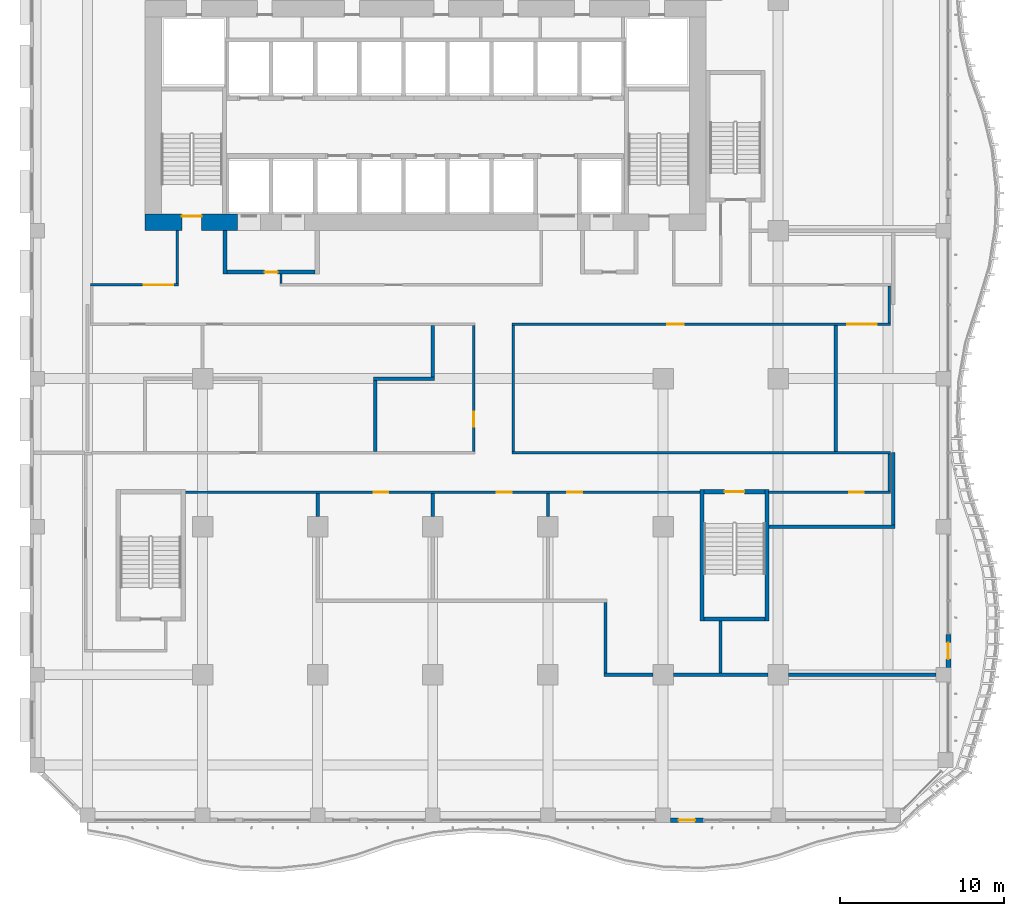
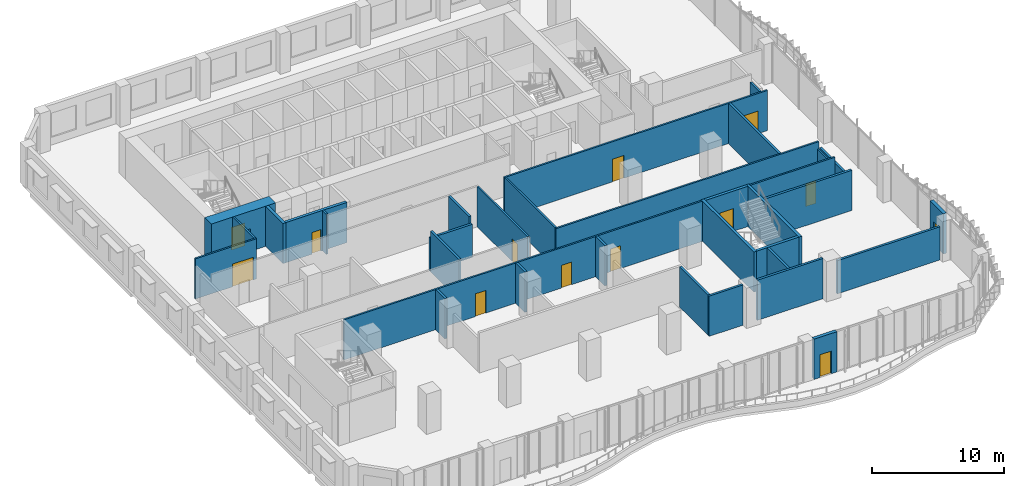
# One storey, part 12 of 27: 34 walls, 13 doors, 13 openings.
"""IFC4 building model written with IfcOpenShell, lengths in metres."""

from ifc_helpers import new_model, si_unit, direction, frame, frame_2d, origin, place, context, subcontext, project, spatial, rectangle, extrude, source, transform, mapped, material, layer, layer_set, type_object, element, fill, save


model = new_model("IFC4")

# Units and contexts
model_context = context("Model", 3, precision=1e-05, world=origin(), true_north=direction((0.0, 1.0)))
body_context = subcontext(model_context, "Body", "Model", "MODEL_VIEW")
ifc_project = project(units=[si_unit("LENGTHUNIT", "METRE"), si_unit("AREAUNIT", "SQUARE_METRE"), si_unit("VOLUMEUNIT", "CUBIC_METRE"), si_unit("PLANEANGLEUNIT", "RADIAN"), si_unit("MASSUNIT", "GRAM", prefix="KILO")], contexts=[model_context])

# Site, building, storey
site_placement = place(None, origin())
site = spatial("IfcSite", under=ifc_project, at=site_placement, CompositionType="ELEMENT")
building_placement = place(site_placement, origin())
building = spatial("IfcBuilding", under=site, at=building_placement, Name="Kilnfold Tower and Market Hall", CompositionType="ELEMENT")
storey_placement = place(building_placement, frame((0.0, 0.0, 71.199951171875)))
storey = spatial("IfcBuildingStorey", under=building, at=storey_placement, Name="L16", CompositionType="ELEMENT", Elevation=71.199951171875)

# Wall, openings, doors
ifc_material_1 = material(Name="Gypsum board on steel studs", Category="steel")
ifc_layer_1 = layer(ifc_material_1, 0.14990234375)
ifc_layer_set_1 = layer_set([ifc_layer_1], Name="Gypsum board on steel studs")
wall_type_1 = type_object("IfcWallType", Name="WALL CORRIDOR 150", PredefinedType="PARTITIONING", material=ifc_layer_set_1)
wall_1_placement = place(storey_placement, frame((-13.60009765625, -7.89990234375, 0.0), z_axis=(0.0, 0.0, 1.0), x_axis=(1.0, 0.0, 0.0)))
wall_1 = element("IfcWall", 1, at=wall_1_placement, inside=storey, type_object=wall_type_1, Name="Partition LY12.2", PredefinedType="PARTITIONING", context=body_context, shape_type="SweptSolid", body=[
    extrude(rectangle(XDim=31.400146484375, YDim=0.14990234375, at=frame_2d((15.7001953125, 0.0))), origin(), (0.0, 0.0, 1.0), 3.719970703125),
])
opening_1_placement = place(wall_1_placement, frame((11.5009765625, 0.0, 0.0)))
opening_1 = element("IfcOpeningElement", 2, at=opening_1_placement, cuts=wall_1, Name="Opening D3", PredefinedType="OPENING", context=body_context, shape_type="SweptSolid", body=[
    extrude(rectangle(XDim=0.89990234375, YDim=2.10009765625, at=frame_2d((0.449951171875, 1.050048828125))), frame((0.0, 0.0849609375, 0.0), z_axis=(0.0, -1.0, 0.0), x_axis=(1.0, 0.0, 0.0)), (0.0, 0.0, 1.0), 0.169921875),
])
opening_2_placement = place(wall_1_placement, frame((19.0029296875, 0.0, 0.0)))
opening_2 = element("IfcOpeningElement", 3, at=opening_2_placement, cuts=wall_1, Name="Opening D2", PredefinedType="OPENING", context=body_context, shape_type="SweptSolid", body=[
    extrude(rectangle(XDim=0.89990234375, YDim=2.10009765625, at=frame_2d((0.449951171875, 1.050048828125))), frame((0.0, 0.0849609375, 0.0), z_axis=(0.0, -1.0, 0.0), x_axis=(1.0, 0.0, 0.0)), (0.0, 0.0, 1.0), 0.169921875),
])
opening_3_placement = place(wall_1_placement, frame((23.291015625, 0.0, 0.0)))
opening_3 = element("IfcOpeningElement", 4, at=opening_3_placement, cuts=wall_1, Name="Opening D2", PredefinedType="OPENING", context=body_context, shape_type="SweptSolid", body=[
    extrude(rectangle(XDim=0.89990234375, YDim=2.10009765625, at=frame_2d((0.449951171875, 1.050048828125))), frame((0.0, 0.0849609375, 0.0), z_axis=(0.0, -1.0, 0.0), x_axis=(1.0, 0.0, 0.0)), (0.0, 0.0, 1.0), 0.169921875),
])
ifc_material_2 = material(Name="Timber veneer door leaf in steel frame", Category="steel")
door_type_1 = type_object("IfcDoorType", Name="DOOR ROOM 900 X2100", OperationType="NOTDEFINED", PredefinedType="DOOR", material=ifc_material_2)
door_1_placement = place(opening_2_placement, origin())
door_1 = element("IfcDoor", 5, at=door_1_placement, inside=storey, type_object=door_type_1, Name="Door D2", OperationType="SINGLE_SWING_RIGHT", OverallHeight=2.10009765625, OverallWidth=0.89990234375, PredefinedType="DOOR", context=body_context, shape_type="SweptSolid", body=[
    extrude(rectangle(XDim=0.89990234375, YDim=2.10009765625, at=frame_2d((0.449951171875, 1.050048828125))), frame((0.0, 0.02490234375, 0.0), z_axis=(0.0, -1.0, 0.0), x_axis=(1.0, 0.0, 0.0)), (0.0, 0.0, 1.0), 0.050048828125),
])
fill(opening_2, door_1)
door_2_placement = place(opening_3_placement, origin())
door_2 = element("IfcDoor", 6, at=door_2_placement, inside=storey, type_object=door_type_1, Name="Door D2", OperationType="SINGLE_SWING_LEFT", OverallHeight=2.10009765625, OverallWidth=0.89990234375, PredefinedType="DOOR", context=body_context, shape_type="SweptSolid", body=[
    extrude(rectangle(XDim=0.89990234375, YDim=2.10009765625, at=frame_2d((0.449951171875, 1.050048828125))), frame((0.0, 0.02490234375, 0.0), z_axis=(0.0, -1.0, 0.0), x_axis=(1.0, 0.0, 0.0)), (0.0, 0.0, 1.0), 0.050048828125),
])
fill(opening_3, door_2)
ifc_material_3 = material(Name="Timber veneer door leaf in steel frame", Category="steel")
door_type_2 = type_object("IfcDoorType", Name="DOOR WC 900 X2100", OperationType="NOTDEFINED", PredefinedType="DOOR", material=ifc_material_3)
door_3_placement = place(opening_1_placement, origin())
door_3 = element("IfcDoor", 7, at=door_3_placement, inside=storey, type_object=door_type_2, Name="Door D3", OperationType="SINGLE_SWING_LEFT", OverallHeight=2.10009765625, OverallWidth=0.89990234375, PredefinedType="DOOR", context=body_context, shape_type="SweptSolid", body=[
    extrude(rectangle(XDim=0.89990234375, YDim=2.10009765625, at=frame_2d((0.449951171875, 1.050048828125))), frame((0.0, 0.02490234375, 0.0), z_axis=(0.0, -1.0, 0.0), x_axis=(1.0, 0.0, 0.0)), (0.0, 0.0, 1.0), 0.050048828125),
])
fill(opening_1, door_3)

# Wall, opening, door
wall_2_placement = place(storey_placement, frame((-19.324951171875, 4.699951171875, 0.0), z_axis=(0.0, 0.0, 1.0), x_axis=(1.0, 0.0, 0.0)))
wall_2 = element("IfcWall", 8, at=wall_2_placement, inside=storey, type_object=wall_type_1, Name="Partition LY12.12", PredefinedType="PARTITIONING", context=body_context, shape_type="SweptSolid", body=[
    extrude(rectangle(XDim=5.349853515625, YDim=0.14990234375, at=frame_2d((2.6748046875, 0.0))), origin(), (0.0, 0.0, 1.0), 3.719970703125),
])
opening_4_placement = place(wall_2_placement, frame((3.248046875, 0.0, 0.0)))
opening_4 = element("IfcOpeningElement", 9, at=opening_4_placement, cuts=wall_2, Name="Opening D5", PredefinedType="OPENING", context=body_context, shape_type="SweptSolid", body=[
    extrude(rectangle(XDim=1.800048828125, YDim=2.10009765625, at=frame_2d((0.89990234375, 1.050048828125))), frame((0.0, 0.0849609375, 0.0), z_axis=(0.0, -1.0, 0.0), x_axis=(1.0, 0.0, 0.0)), (0.0, 0.0, 1.0), 0.169921875),
])
ifc_material_4 = material(Name="Timber veneer door leaf in steel frame", Category="steel")
door_type_3 = type_object("IfcDoorType", Name="DOOR DOUBLE 1800 X2100", OperationType="NOTDEFINED", PredefinedType="DOOR", material=ifc_material_4)
door_4_placement = place(opening_4_placement, origin())
door_4 = element("IfcDoor", 10, at=door_4_placement, inside=storey, type_object=door_type_3, Name="Door D5", OperationType="DOUBLE_DOOR_SINGLE_SWING", OverallHeight=2.10009765625, OverallWidth=1.800048828125, PredefinedType="DOOR", context=body_context, shape_type="SweptSolid", body=[
    extrude(rectangle(XDim=1.800048828125, YDim=2.10009765625, at=frame_2d((0.89990234375, 1.050048828125))), frame((0.0, 0.02490234375, 0.0), z_axis=(0.0, -1.0, 0.0), x_axis=(1.0, 0.0, 0.0)), (0.0, 0.0, 1.0), 0.050048828125),
])
fill(opening_4, door_4)

# Walls
wall_3_placement = place(storey_placement, frame((-14.050048828125, 8.0, 0.0), z_axis=(0.0, 0.0, 1.0), x_axis=(0.0, -1.0, 0.0)))
element("IfcWall", 11, at=wall_3_placement, inside=storey, type_object=wall_type_1, Name="Partition LY12.13", PredefinedType="PARTITIONING", context=body_context, shape_type="SweptSolid", body=[
    extrude(rectangle(XDim=3.22509765625, YDim=0.14990234375, at=frame_2d((1.612548828125, 0.0))), origin(), (0.0, 0.0, 1.0), 3.719970703125),
])
wall_4_placement = place(storey_placement, frame((-7.72998046875, 4.77490234375, 0.0), z_axis=(0.0, 0.0, 1.0), x_axis=(0.0, 1.0, 0.0)))
element("IfcWall", 12, at=wall_4_placement, inside=storey, type_object=wall_type_1, Name="Partition LY12.14", PredefinedType="PARTITIONING", context=body_context, shape_type="SweptSolid", body=[
    extrude(rectangle(XDim=0.5751953125, YDim=0.14990234375, at=frame_2d((0.28759765625, 0.0))), origin(), (0.0, 0.0, 1.0), 3.719970703125),
])

# Wall, opening, door
wall_5_placement = place(storey_placement, frame((4.0, 2.22509765625, 0.0), z_axis=(0.0, 0.0, 1.0), x_axis=(0.0, -1.0, 0.0)))
wall_5 = element("IfcWall", 13, at=wall_5_placement, inside=storey, type_object=wall_type_1, Name="Partition LY12.17", PredefinedType="PARTITIONING", context=body_context, shape_type="SweptSolid", body=[
    extrude(rectangle(XDim=7.650146484375, YDim=0.14990234375, at=frame_2d((3.8251953125, 0.0))), origin(), (0.0, 0.0, 1.0), 3.719970703125),
])
opening_5_placement = place(wall_5_placement, frame((5.239990234375, 0.0, 0.0)))
opening_5 = element("IfcOpeningElement", 14, at=opening_5_placement, cuts=wall_5, Name="Opening D2", PredefinedType="OPENING", context=body_context, shape_type="SweptSolid", body=[
    extrude(rectangle(XDim=0.89990234375, YDim=2.10009765625, at=frame_2d((0.449951171875, 1.050048828125))), frame((0.0, 0.0849609375, 0.0), z_axis=(0.0, -1.0, 0.0), x_axis=(1.0, 0.0, 0.0)), (0.0, 0.0, 1.0), 0.169921875),
])
door_5_placement = place(opening_5_placement, origin())
door_5 = element("IfcDoor", 15, at=door_5_placement, inside=storey, type_object=door_type_1, Name="Door D2", OperationType="SINGLE_SWING_LEFT", OverallHeight=2.10009765625, OverallWidth=0.89990234375, PredefinedType="DOOR", context=body_context, shape_type="SweptSolid", body=[
    extrude(rectangle(XDim=0.89990234375, YDim=2.10009765625, at=frame_2d((0.449951171875, 1.050048828125))), frame((0.0, 0.02490234375, 0.0), z_axis=(0.0, -1.0, 0.0), x_axis=(1.0, 0.0, 0.0)), (0.0, 0.0, 1.0), 0.050048828125),
])
fill(opening_5, door_5)

# Wall, openings, doors
wall_6_placement = place(storey_placement, frame((6.324951171875, 2.300048828125, 0.0), z_axis=(0.0, 0.0, 1.0), x_axis=(1.0, 0.0, 0.0)))
wall_6 = element("IfcWall", 16, at=wall_6_placement, inside=storey, type_object=wall_type_1, Name="Partition LY12.18", PredefinedType="PARTITIONING", context=body_context, shape_type="SweptSolid", body=[
    extrude(rectangle(XDim=23.0, YDim=0.14990234375, at=frame_2d((11.5, 0.0))), origin(), (0.0, 0.0, 1.0), 3.719970703125),
])
opening_6_placement = place(wall_6_placement, frame((9.443115234375, 0.0, 0.0)))
opening_6 = element("IfcOpeningElement", 17, at=opening_6_placement, cuts=wall_6, Name="Opening D1", PredefinedType="OPENING", context=body_context, shape_type="SweptSolid", body=[
    extrude(rectangle(XDim=1.0, YDim=2.10009765625, at=frame_2d((0.5, 1.050048828125))), frame((0.0, 0.0849609375, 0.0), z_axis=(0.0, -1.0, 0.0), x_axis=(1.0, 0.0, 0.0)), (0.0, 0.0, 1.0), 0.169921875),
])
opening_7_placement = place(wall_6_placement, frame((20.381103515625, 0.0, 0.0)))
opening_7 = element("IfcOpeningElement", 18, at=opening_7_placement, cuts=wall_6, Name="Opening D5", PredefinedType="OPENING", context=body_context, shape_type="SweptSolid", body=[
    extrude(rectangle(XDim=1.800048828125, YDim=2.10009765625, at=frame_2d((0.89990234375, 1.050048828125))), frame((0.0, 0.0849609375, 0.0), z_axis=(0.0, -1.0, 0.0), x_axis=(1.0, 0.0, 0.0)), (0.0, 0.0, 1.0), 0.169921875),
])
door_6_placement = place(opening_7_placement, origin())
door_6 = element("IfcDoor", 19, at=door_6_placement, inside=storey, type_object=door_type_3, Name="Door D5", OperationType="DOUBLE_DOOR_SINGLE_SWING", OverallHeight=2.10009765625, OverallWidth=1.800048828125, PredefinedType="DOOR", context=body_context, shape_type="SweptSolid", body=[
    extrude(rectangle(XDim=1.800048828125, YDim=2.10009765625, at=frame_2d((0.89990234375, 1.050048828125))), frame((0.0, 0.02490234375, 0.0), z_axis=(0.0, -1.0, 0.0), x_axis=(1.0, 0.0, 0.0)), (0.0, 0.0, 1.0), 0.050048828125),
])
fill(opening_7, door_6)
ifc_material_5 = material(Name="Timber veneer door leaf in steel frame", Category="steel")
door_type_4 = type_object("IfcDoorType", Name="DOOR ENTRY 1000 X2100", OperationType="NOTDEFINED", PredefinedType="DOOR", material=ifc_material_5)
door_7_placement = place(opening_6_placement, origin())
door_7 = element("IfcDoor", 20, at=door_7_placement, inside=storey, type_object=door_type_4, Name="Door D1", OperationType="SINGLE_SWING_LEFT", OverallHeight=2.10009765625, OverallWidth=1.0, PredefinedType="DOOR", context=body_context, shape_type="SweptSolid", body=[
    extrude(rectangle(XDim=1.0, YDim=2.10009765625, at=frame_2d((0.5, 1.050048828125))), frame((0.0, 0.02490234375, 0.0), z_axis=(0.0, -1.0, 0.0), x_axis=(1.0, 0.0, 0.0)), (0.0, 0.0, 1.0), 0.050048828125),
])
fill(opening_6, door_7)

# Walls
wall_7_placement = place(storey_placement, frame((6.39990234375, -5.425048828125, 0.0), z_axis=(0.0, 0.0, 1.0), x_axis=(0.0, 1.0, 0.0)))
element("IfcWall", 21, at=wall_7_placement, inside=storey, type_object=wall_type_1, Name="Partition LY12.19", PredefinedType="PARTITIONING", context=body_context, shape_type="SweptSolid", body=[
    extrude(rectangle(XDim=7.650146484375, YDim=0.14990234375, at=frame_2d((3.8251953125, 0.0))), origin(), (0.0, 0.0, 1.0), 3.719970703125),
])
wall_8_placement = place(storey_placement, frame((6.324951171875, -5.5, 0.0), z_axis=(0.0, 0.0, 1.0), x_axis=(1.0, 0.0, 0.0)))
element("IfcWall", 22, at=wall_8_placement, inside=storey, type_object=wall_type_1, Name="Partition LY12.20", PredefinedType="PARTITIONING", context=body_context, shape_type="SweptSolid", body=[
    extrude(rectangle(XDim=23.0, YDim=0.14990234375, at=frame_2d((11.5, 0.0))), origin(), (0.0, 0.0, 1.0), 3.719970703125),
])
wall_9_placement = place(storey_placement, frame((29.25, -7.824951171875, 0.0), z_axis=(0.0, 0.0, 1.0), x_axis=(0.0, 1.0, 0.0)))
element("IfcWall", 23, at=wall_9_placement, inside=storey, type_object=wall_type_1, Name="Partition LY12.27", PredefinedType="PARTITIONING", context=body_context, shape_type="SweptSolid", body=[
    extrude(rectangle(XDim=2.25, YDim=0.14990234375, at=frame_2d((1.125, 0.0))), origin(), (0.0, 0.0, 1.0), 3.070068359375),
])

# Wall, opening, door
wall_10_placement = place(storey_placement, frame((21.89990234375, -7.89990234375, 0.0), z_axis=(0.0, 0.0, 1.0), x_axis=(1.0, 0.0, 0.0)))
wall_10 = element("IfcWall", 24, at=wall_10_placement, inside=storey, type_object=wall_type_1, Name="Partition LY12.28", PredefinedType="PARTITIONING", context=body_context, shape_type="SweptSolid", body=[
    extrude(rectangle(XDim=7.425048828125, YDim=0.14990234375, at=frame_2d((3.71240234375, 0.0))), origin(), (0.0, 0.0, 1.0), 3.719970703125),
])
opening_8_placement = place(wall_10_placement, frame((4.9189453125, 0.0, 0.0)))
opening_8 = element("IfcOpeningElement", 25, at=opening_8_placement, cuts=wall_10, Name="Opening D2", PredefinedType="OPENING", context=body_context, shape_type="SweptSolid", body=[
    extrude(rectangle(XDim=0.89990234375, YDim=2.10009765625, at=frame_2d((0.449951171875, 1.050048828125))), frame((0.0, 0.0849609375, 0.0), z_axis=(0.0, -1.0, 0.0), x_axis=(1.0, 0.0, 0.0)), (0.0, 0.0, 1.0), 0.169921875),
])
door_8_placement = place(opening_8_placement, origin())
door_8 = element("IfcDoor", 26, at=door_8_placement, inside=storey, type_object=door_type_1, Name="Door D2", OperationType="SINGLE_SWING_RIGHT", OverallHeight=2.10009765625, OverallWidth=0.89990234375, PredefinedType="DOOR", context=body_context, shape_type="SweptSolid", body=[
    extrude(rectangle(XDim=0.89990234375, YDim=2.10009765625, at=frame_2d((0.449951171875, 1.050048828125))), frame((0.0, 0.02490234375, 0.0), z_axis=(0.0, -1.0, 0.0), x_axis=(1.0, 0.0, 0.0)), (0.0, 0.0, 1.0), 0.050048828125),
])
fill(opening_8, door_8)

# Walls
wall_11_placement = place(storey_placement, frame((29.25, 2.375, 0.0), z_axis=(0.0, 0.0, 1.0), x_axis=(0.0, 1.0, 0.0)))
element("IfcWall", 27, at=wall_11_placement, inside=storey, type_object=wall_type_1, Name="Partition LY12.29", PredefinedType="PARTITIONING", context=body_context, shape_type="SweptSolid", body=[
    extrude(rectangle(XDim=2.25, YDim=0.14990234375, at=frame_2d((1.125, 0.0))), origin(), (0.0, 0.0, 1.0), 3.070068359375),
])
ifc_material_6 = material(Name="Gypsum board on steel studs", Category="steel")
ifc_layer_2 = layer(ifc_material_6, 0.199951171875)
ifc_layer_set_2 = layer_set([ifc_layer_2], Name="Gypsum board on steel studs")
wall_type_2 = type_object("IfcWallType", Name="WALL PARTY 200", PredefinedType="PARTITIONING", material=ifc_layer_set_2)
wall_12_placement = place(storey_placement, frame((-5.5, -9.375, 0.0), z_axis=(0.0, 0.0, 1.0), x_axis=(0.0, 1.0, 0.0)))
element("IfcWall", 28, at=wall_12_placement, inside=storey, type_object=wall_type_2, Name="Partition LY12.31", PredefinedType="PARTITIONING", context=body_context, shape_type="SweptSolid", body=[
    extrude(rectangle(XDim=1.39892578125, YDim=0.199951171875, at=frame_2d((0.699462890625, 0.0))), origin(), (0.0, 0.0, 1.0), 3.719970703125),
])
wall_13_placement = place(storey_placement, frame((12.0, -18.89990234375, 0.0), z_axis=(0.0, 0.0, 1.0), x_axis=(0.0, 1.0, 0.0)))
element("IfcWall", 29, at=wall_13_placement, inside=storey, type_object=wall_type_2, Name="Partition LY12.34", PredefinedType="PARTITIONING", context=body_context, shape_type="SweptSolid", body=[
    extrude(rectangle(XDim=4.2998046875, YDim=0.199951171875, at=frame_2d((2.14990234375, 0.0))), origin(), (0.0, 0.0, 1.0), 3.719970703125),
])
wall_14_placement = place(storey_placement, frame((11.89990234375, -19.0, 0.0), z_axis=(0.0, 0.0, 1.0), x_axis=(1.0, 0.0, 0.0)))
element("IfcWall", 30, at=wall_14_placement, inside=storey, type_object=wall_type_2, Name="Partition LY12.35", PredefinedType="PARTITIONING", context=body_context, shape_type="SweptSolid", body=[
    extrude(rectangle(XDim=2.97509765625, YDim=0.199951171875, at=frame_2d((1.487548828125, 0.0))), origin(), (0.0, 0.0, 1.0), 3.719970703125),
])
wall_15_placement = place(storey_placement, frame((16.125, -19.0, 0.0), z_axis=(0.0, 0.0, 1.0), x_axis=(1.0, 0.0, 0.0)))
element("IfcWall", 31, at=wall_15_placement, inside=storey, type_object=wall_type_2, Name="Partition LY12.36", PredefinedType="PARTITIONING", context=body_context, shape_type="SweptSolid", body=[
    extrude(rectangle(XDim=5.75, YDim=0.199951171875, at=frame_2d((2.875, 0.0))), origin(), (0.0, 0.0, 1.0), 3.719970703125),
])
wall_16_placement = place(storey_placement, frame((23.125, -19.0, 0.0), z_axis=(0.0, 0.0, 1.0), x_axis=(1.0, 0.0, 0.0)))
element("IfcWall", 32, at=wall_16_placement, inside=storey, type_object=wall_type_2, Name="Partition LY12.37", PredefinedType="PARTITIONING", context=body_context, shape_type="SweptSolid", body=[
    extrude(rectangle(XDim=8.97509765625, YDim=0.199951171875, at=frame_2d((4.487548828125, 0.0))), origin(), (0.0, 0.0, 1.0), 3.070068359375),
])
wall_17_placement = place(storey_placement, frame((1.5, -0.89990234375, 0.0), z_axis=(0.0, 0.0, 1.0), x_axis=(0.0, 1.0, 0.0)))
element("IfcWall", 33, at=wall_17_placement, inside=storey, type_object=wall_type_2, Name="Partition LY12.46", PredefinedType="PARTITIONING", context=body_context, shape_type="SweptSolid", body=[
    extrude(rectangle(XDim=3.1240234375, YDim=0.199951171875, at=frame_2d((1.56201171875, 0.0))), origin(), (0.0, 0.0, 1.0), 3.719970703125),
])
wall_18_placement = place(storey_placement, frame((-2.10009765625, -1.0, 0.0), z_axis=(0.0, 0.0, 1.0), x_axis=(1.0, 0.0, 0.0)))
element("IfcWall", 34, at=wall_18_placement, inside=storey, type_object=wall_type_2, Name="Partition LY12.47", PredefinedType="PARTITIONING", context=body_context, shape_type="SweptSolid", body=[
    extrude(rectangle(XDim=3.7001953125, YDim=0.199951171875, at=frame_2d((1.85009765625, 0.0))), origin(), (0.0, 0.0, 1.0), 3.070068359375),
])
wall_19_placement = place(storey_placement, frame((-2.0, -5.424072265625, 0.0), z_axis=(0.0, 0.0, 1.0), x_axis=(0.0, 1.0, 0.0)))
element("IfcWall", 35, at=wall_19_placement, inside=storey, type_object=wall_type_2, Name="Partition LY12.48", PredefinedType="PARTITIONING", context=body_context, shape_type="SweptSolid", body=[
    extrude(rectangle(XDim=4.323974609375, YDim=0.199951171875, at=frame_2d((2.162109375, 0.0))), origin(), (0.0, 0.0, 1.0), 3.719970703125),
])
for number, where, z_axis, x_axis, name in (
    (36, (1.5, -9.375, 0.0), (0.0, 0.0, 1.0), (0.0, 1.0, 0.0), "Partition LY12.49"),
    (37, (8.5, -9.375, 0.0), (0.0, 0.0, 1.0), (0.0, 1.0, 0.0), "Partition LY12.51"),
):
    element("IfcWall", number, at=place(storey_placement, frame(where, z_axis=z_axis, x_axis=x_axis)), inside=storey, type_object=wall_type_2, Name=name, PredefinedType="PARTITIONING", context=body_context, shape_type="SweptSolid", body=[
        extrude(rectangle(XDim=1.39892578125, YDim=0.199951171875, at=frame_2d((0.699462890625, 0.0))), origin(), (0.0, 0.0, 1.0), 3.719970703125),
    ])
wall_20_placement = place(storey_placement, frame((26.0, -5.424072265625, 0.0), z_axis=(0.0, 0.0, 1.0), x_axis=(0.0, 1.0, 0.0)))
element("IfcWall", 38, at=wall_20_placement, inside=storey, type_object=wall_type_2, Name="Partition LY12.53", PredefinedType="PARTITIONING", context=body_context, shape_type="SweptSolid", body=[
    extrude(rectangle(XDim=7.648193359375, YDim=0.199951171875, at=frame_2d((3.82421875, 0.0))), origin(), (0.0, 0.0, 1.0), 3.719970703125),
])
wall_21_placement = place(storey_placement, frame((19.0, -18.89990234375, 0.0), z_axis=(0.0, 0.0, 1.0), x_axis=(0.0, 1.0, 0.0)))
element("IfcWall", 39, at=wall_21_placement, inside=storey, type_object=wall_type_2, Name="Partition LY12.54", PredefinedType="PARTITIONING", context=body_context, shape_type="SweptSolid", body=[
    extrude(rectangle(XDim=3.14990234375, YDim=0.199951171875, at=frame_2d((1.574951171875, 0.0))), origin(), (0.0, 0.0, 1.0), 3.719970703125),
])
wall_22_placement = place(storey_placement, frame((29.5, -9.89990234375, 0.0), z_axis=(0.0, 0.0, 1.0), x_axis=(0.0, 1.0, 0.0)))
element("IfcWall", 40, at=wall_22_placement, inside=storey, type_object=wall_type_2, Name="Partition LY12.58", PredefinedType="PARTITIONING", context=body_context, shape_type="SweptSolid", body=[
    extrude(rectangle(XDim=4.39990234375, YDim=0.199951171875, at=frame_2d((2.199951171875, 0.0))), origin(), (0.0, 0.0, 1.0), 3.070068359375),
])
wall_23_placement = place(storey_placement, frame((21.949951171875, -10.0, 0.0), z_axis=(0.0, 0.0, 1.0), x_axis=(1.0, 0.0, 0.0)))
element("IfcWall", 41, at=wall_23_placement, inside=storey, type_object=wall_type_2, Name="Partition LY12.59", PredefinedType="PARTITIONING", context=body_context, shape_type="SweptSolid", body=[
    extrude(rectangle(XDim=7.650146484375, YDim=0.199951171875, at=frame_2d((3.8251953125, 0.0))), origin(), (0.0, 0.0, 1.0), 3.719970703125),
])

# Wall, opening, door
ifc_material_7 = material(Name="Concrete C80", Category="concrete")
ifc_layer_3 = layer(ifc_material_7, 1.0)
ifc_layer_set_3 = layer_set([ifc_layer_3], Name="Concrete C80")
wall_type_3 = type_object("IfcWallType", Name="CORE WALL 1000 C80", PredefinedType="SHEAR", material=ifc_layer_set_3)
shared_shape_1 = source(origin(), body_context, "Body", "SweptSolid", [
    extrude(rectangle(XDim=5.6298828125, YDim=1.0, at=frame_2d((2.81494140625, 0.0))), origin(), (0.0, 0.0, 1.0), 3.719970703125),
])
wall_24_placement = place(storey_placement, frame((-16.0, 8.5, 0.0), z_axis=(0.0, 0.0, 1.0), x_axis=(1.0, 0.0, 0.0)))
wall_24 = element("IfcWall", 42, at=wall_24_placement, inside=storey, type_object=wall_type_3, Name="Core outer wall south", PredefinedType="SHEAR", context=body_context, shape_type="MappedRepresentation", body=[
    mapped(shared_shape_1, transform((0.0, 0.0, 0.0))),
])
opening_9_placement = place(wall_24_placement, frame((2.25, 0.0, 0.0)))
opening_9 = element("IfcOpeningElement", 43, at=opening_9_placement, cuts=wall_24, Name="Opening SD1", PredefinedType="OPENING", context=body_context, shape_type="SweptSolid", body=[
    extrude(rectangle(XDim=1.199951171875, YDim=2.10009765625, at=frame_2d((0.60009765625, 1.050048828125))), frame((0.0, 0.510009765625, 0.0), z_axis=(0.0, -1.0, 0.0), x_axis=(1.0, 0.0, 0.0)), (0.0, 0.0, 1.0), 1.02001953125),
])
ifc_material_8 = material(Name="Steel door set with fire-resisting leaf", Category="steel")
door_type_5 = type_object("IfcDoorType", Name="STAIR FLOOR DOOR 1200X2100", OperationType="NOTDEFINED", PredefinedType="DOOR", material=ifc_material_8)
door_9_placement = place(opening_9_placement, origin())
door_9 = element("IfcDoor", 44, at=door_9_placement, inside=storey, type_object=door_type_5, Name="Exit stair ST1 door", OperationType="DOUBLE_DOOR_SINGLE_SWING", OverallHeight=2.10009765625, OverallWidth=1.199951171875, PredefinedType="DOOR", context=body_context, shape_type="SweptSolid", body=[
    extrude(rectangle(XDim=1.199951171875, YDim=2.10009765625, at=frame_2d((0.60009765625, 1.050048828125))), frame((0.0, 0.40478515625, 0.0), z_axis=(0.0, -1.0, 0.0), x_axis=(1.0, 0.0, 0.0)), (0.0, 0.0, 1.0), 0.050048828125),
])
fill(opening_9, door_9)

# Wall
ifc_material_9 = material(Name="Concrete C80", Category="concrete")
ifc_layer_4 = layer(ifc_material_9, 0.25)
ifc_layer_set_4 = layer_set([ifc_layer_4], Name="Concrete C80")
wall_type_4 = type_object("IfcWallType", Name="CORE WALL 250 C80", PredefinedType="SHEAR", material=ifc_layer_set_4)
shared_shape_2 = source(origin(), body_context, "Body", "SweptSolid", [
    extrude(rectangle(XDim=3.699951171875, YDim=0.25, at=frame_2d((1.85009765625, 0.0))), origin(), (0.0, 0.0, 1.0), 3.719970703125),
])
wall_25_placement = place(storey_placement, frame((18.0, -15.625, 0.0), z_axis=(0.0, 0.0, 1.0), x_axis=(1.0, 0.0, 0.0)))
element("IfcWall", 45, at=wall_25_placement, inside=storey, type_object=wall_type_4, Name="Stair enclosure ST4", PredefinedType="SHEAR", context=body_context, shape_type="MappedRepresentation", body=[
    mapped(shared_shape_2, transform((0.0, 0.0, 0.0))),
])

# Wall, opening, door
wall_26_placement = place(storey_placement, frame((18.0, -7.875, 0.0), z_axis=(0.0, 0.0, 1.0), x_axis=(1.0, 0.0, 0.0)))
wall_26 = element("IfcWall", 46, at=wall_26_placement, inside=storey, type_object=wall_type_4, Name="Stair enclosure ST4", PredefinedType="SHEAR", context=body_context, shape_type="MappedRepresentation", body=[
    mapped(shared_shape_2, transform((0.0, 0.0, 0.0))),
])
opening_10_placement = place(wall_26_placement, frame((1.25, 0.0, 0.0)))
opening_10 = element("IfcOpeningElement", 47, at=opening_10_placement, cuts=wall_26, Name="Opening SD1", PredefinedType="OPENING", context=body_context, shape_type="SweptSolid", body=[
    extrude(rectangle(XDim=1.199951171875, YDim=2.10009765625, at=frame_2d((0.60009765625, 1.050048828125))), frame((0.0, 0.135009765625, 0.0), z_axis=(0.0, -1.0, 0.0), x_axis=(1.0, 0.0, 0.0)), (0.0, 0.0, 1.0), 0.27001953125),
])
door_10_placement = place(opening_10_placement, origin())
door_10 = element("IfcDoor", 48, at=door_10_placement, inside=storey, type_object=door_type_5, Name="Exit stair ST4 door", OperationType="DOUBLE_DOOR_SINGLE_SWING", OverallHeight=2.10009765625, OverallWidth=1.199951171875, PredefinedType="DOOR", context=body_context, shape_type="SweptSolid", body=[
    extrude(rectangle(XDim=1.199951171875, YDim=2.10009765625, at=frame_2d((0.60009765625, 1.050048828125))), frame((0.0, 0.02490234375, 0.0), z_axis=(0.0, -1.0, 0.0), x_axis=(1.0, 0.0, 0.0)), (0.0, 0.0, 1.0), 0.050048828125),
])
fill(opening_10, door_10)

# Walls
shared_shape_3 = source(origin(), body_context, "Body", "SweptSolid", [
    extrude(rectangle(XDim=8.0, YDim=0.25, at=frame_2d((4.0, 0.0))), origin(), (0.0, 0.0, 1.0), 3.719970703125),
])
for number, where, z_axis, x_axis, name in (
    (49, (17.875, -15.75, 0.0), (0.0, 0.0, 1.0), (0.0, 1.0, 0.0), "Stair enclosure ST4"),
    (50, (21.824951171875, -15.75, 0.0), (0.0, 0.0, 1.0), (0.0, 1.0, 0.0), "Stair enclosure ST4"),
):
    element("IfcWall", number, at=place(storey_placement, frame(where, z_axis=z_axis, x_axis=x_axis)), inside=storey, type_object=wall_type_4, Name=name, PredefinedType="SHEAR", context=body_context, shape_type="MappedRepresentation", body=[
        mapped(shared_shape_3, transform((0.0, 0.0, 0.0))),
    ])

# Wall, opening, door
ifc_material_10 = material(Name="Precast concrete C50/60", Category="concrete")
ifc_layer_5 = layer(ifc_material_10, 0.300048828125)
ifc_layer_set_5 = layer_set([ifc_layer_5], Name="Precast concrete C50/60")
wall_type_5 = type_object("IfcWallType", Name="PRECAST WALL 300", PredefinedType="SOLIDWALL", material=ifc_layer_set_5)
shared_shape_4 = source(origin(), body_context, "Body", "SweptSolid", [
    extrude(rectangle(XDim=2.0, YDim=0.300048828125, at=frame_2d((1.0, 0.0))), origin(), (0.0, 0.0, 1.0), 3.719970703125),
])
wall_27_placement = place(storey_placement, frame((15.949951171875, -27.85009765625, 0.0), z_axis=(0.0, 0.0, 1.0), x_axis=(1.0, 0.0, 0.0)))
wall_27 = element("IfcWall", 51, at=wall_27_placement, inside=storey, type_object=wall_type_5, Name="External wall L16 S", PredefinedType="SOLIDWALL", context=body_context, shape_type="MappedRepresentation", body=[
    mapped(shared_shape_4, transform((0.0, 0.0, 0.0))),
])
opening_11_placement = place(wall_27_placement, frame((0.5, 0.0, 0.0)))
opening_11 = element("IfcOpeningElement", 52, at=opening_11_placement, cuts=wall_27, Name="Opening BD1", PredefinedType="OPENING", context=body_context, shape_type="SweptSolid", body=[
    extrude(rectangle(XDim=1.0, YDim=2.10009765625, at=frame_2d((0.5, 1.050048828125))), frame((0.0, 0.16015625, 0.0), z_axis=(0.0, -1.0, 0.0), x_axis=(1.0, 0.0, 0.0)), (0.0, 0.0, 1.0), 0.320068359375),
])
ifc_material_11 = material(Name="Aluminium frame and double glazing", Category="aluminium")
door_type_6 = type_object("IfcDoorType", Name="BALCONY DOOR 1000X2100", OperationType="NOTDEFINED", PredefinedType="DOOR", material=ifc_material_11)
door_11_placement = place(opening_11_placement, origin())
door_11 = element("IfcDoor", 53, at=door_11_placement, inside=storey, type_object=door_type_6, Name="Balcony door BD1 L16 S-1", OperationType="SINGLE_SWING_LEFT", OverallHeight=2.10009765625, OverallWidth=1.0, PredefinedType="DOOR", context=body_context, shape_type="SweptSolid", body=[
    extrude(rectangle(XDim=1.0, YDim=2.10009765625, at=frame_2d((0.5, 1.050048828125))), frame((0.0, 0.02490234375, 0.0), z_axis=(0.0, -1.0, 0.0), x_axis=(1.0, 0.0, 0.0)), (0.0, 0.0, 1.0), 0.050048828125),
])
fill(opening_11, door_11)

wall_28_placement = place(storey_placement, frame((32.85009765625, -18.550048828125, 0.0), z_axis=(0.0, 0.0, 1.0), x_axis=(0.0, 1.0, 0.0)))
wall_28 = element("IfcWall", 54, at=wall_28_placement, inside=storey, type_object=wall_type_5, Name="External wall L16 E", PredefinedType="SOLIDWALL", context=body_context, shape_type="MappedRepresentation", body=[
    mapped(shared_shape_4, transform((0.0, 0.0, 0.0))),
])
opening_12_placement = place(wall_28_placement, frame((0.5, 0.0, 0.0)))
opening_12 = element("IfcOpeningElement", 55, at=opening_12_placement, cuts=wall_28, Name="Opening BD1", PredefinedType="OPENING", context=body_context, shape_type="SweptSolid", body=[
    extrude(rectangle(XDim=1.0, YDim=2.10009765625, at=frame_2d((0.5, 1.050048828125))), frame((0.0, 0.16015625, 0.0), z_axis=(0.0, -1.0, 0.0), x_axis=(1.0, 0.0, 0.0)), (0.0, 0.0, 1.0), 0.320068359375),
])
door_12_placement = place(opening_12_placement, origin())
door_12 = element("IfcDoor", 56, at=door_12_placement, inside=storey, type_object=door_type_6, Name="Balcony door BD1 L16 E-1", OperationType="SINGLE_SWING_LEFT", OverallHeight=2.10009765625, OverallWidth=1.0, PredefinedType="DOOR", context=body_context, shape_type="SweptSolid", body=[
    extrude(rectangle(XDim=1.0, YDim=2.10009765625, at=frame_2d((0.5, 1.050048828125))), frame((0.0, 0.02490234375, 0.0), z_axis=(0.0, -1.0, 0.0), x_axis=(1.0, 0.0, 0.0)), (0.0, 0.0, 1.0), 0.050048828125),
])
fill(opening_12, door_12)

# Wall
ifc_material_12 = material(Name="Gypsum shaft wall system")
ifc_layer_6 = layer(ifc_material_12, 0.25)
ifc_layer_set_6 = layer_set([ifc_layer_6], Name="Gypsum shaft wall system")
wall_type_6 = type_object("IfcWallType", Name="LOBBY WALL 250", PredefinedType="PARTITIONING", material=ifc_layer_set_6)
shared_shape_5 = source(origin(), body_context, "Body", "SweptSolid", [
    extrude(rectangle(XDim=2.64990234375, YDim=0.25, at=frame_2d((1.324951171875, 0.0))), origin(), (0.0, 0.0, 1.0), 3.719970703125),
])
wall_29_placement = place(storey_placement, frame((-11.135009765625, 5.35009765625, 0.0), z_axis=(0.0, 0.0, 1.0), x_axis=(0.0, 1.0, 0.0)))
element("IfcWall", 57, at=wall_29_placement, inside=storey, type_object=wall_type_6, Name="Firefighting lobby wall", PredefinedType="PARTITIONING", context=body_context, shape_type="MappedRepresentation", body=[
    mapped(shared_shape_5, transform((0.0, 0.0, 0.0))),
])

# Wall, opening, door
shared_shape_6 = source(origin(), body_context, "Body", "SweptSolid", [
    extrude(rectangle(XDim=5.360107421875, YDim=0.25, at=frame_2d((2.68017578125, 0.0))), origin(), (0.0, 0.0, 1.0), 3.719970703125),
])
wall_30_placement = place(storey_placement, frame((-11.010009765625, 5.47509765625, 0.0), z_axis=(0.0, 0.0, 1.0), x_axis=(1.0, 0.0, 0.0)))
wall_30 = element("IfcWall", 58, at=wall_30_placement, inside=storey, type_object=wall_type_6, Name="Firefighting lobby wall", PredefinedType="PARTITIONING", context=body_context, shape_type="MappedRepresentation", body=[
    mapped(shared_shape_6, transform((0.0, 0.0, 0.0))),
])
opening_13_placement = place(wall_30_placement, frame((2.280029296875, 0.0, 0.0)))
opening_13 = element("IfcOpeningElement", 59, at=opening_13_placement, cuts=wall_30, Name="Opening VD1", PredefinedType="OPENING", context=body_context, shape_type="SweptSolid", body=[
    extrude(rectangle(XDim=0.800048828125, YDim=2.0, at=frame_2d((0.39990234375, 1.0))), frame((0.0, 0.135009765625, 0.0), z_axis=(0.0, -1.0, 0.0), x_axis=(1.0, 0.0, 0.0)), (0.0, 0.0, 1.0), 0.27001953125),
])
ifc_material_13 = material(Name="Steel door set with fire-resisting leaf", Category="steel")
door_type_7 = type_object("IfcDoorType", Name="FIREFIGHTING LOBBY DOOR 800X2000", OperationType="NOTDEFINED", PredefinedType="DOOR", material=ifc_material_13)
door_13_placement = place(opening_13_placement, origin())
door_13 = element("IfcDoor", 60, at=door_13_placement, inside=storey, type_object=door_type_7, Name="Firefighting lobby door", OperationType="SINGLE_SWING_LEFT", OverallHeight=2.0, OverallWidth=0.800048828125, PredefinedType="DOOR", context=body_context, shape_type="SweptSolid", body=[
    extrude(rectangle(XDim=0.800048828125, YDim=2.0, at=frame_2d((0.39990234375, 1.0))), frame((0.0, 0.02490234375, 0.0), z_axis=(0.0, -1.0, 0.0), x_axis=(1.0, 0.0, 0.0)), (0.0, 0.0, 1.0), 0.050048828125),
])
fill(opening_13, door_13)

save(model, "model.ifc")
